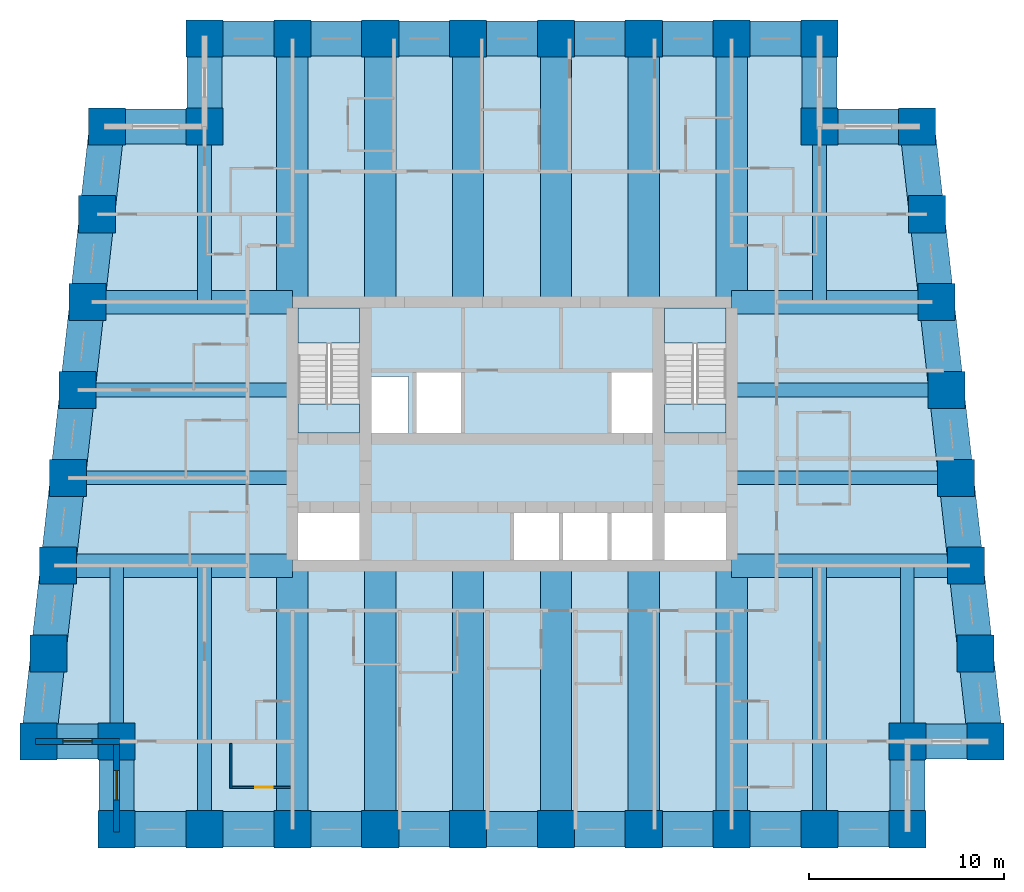
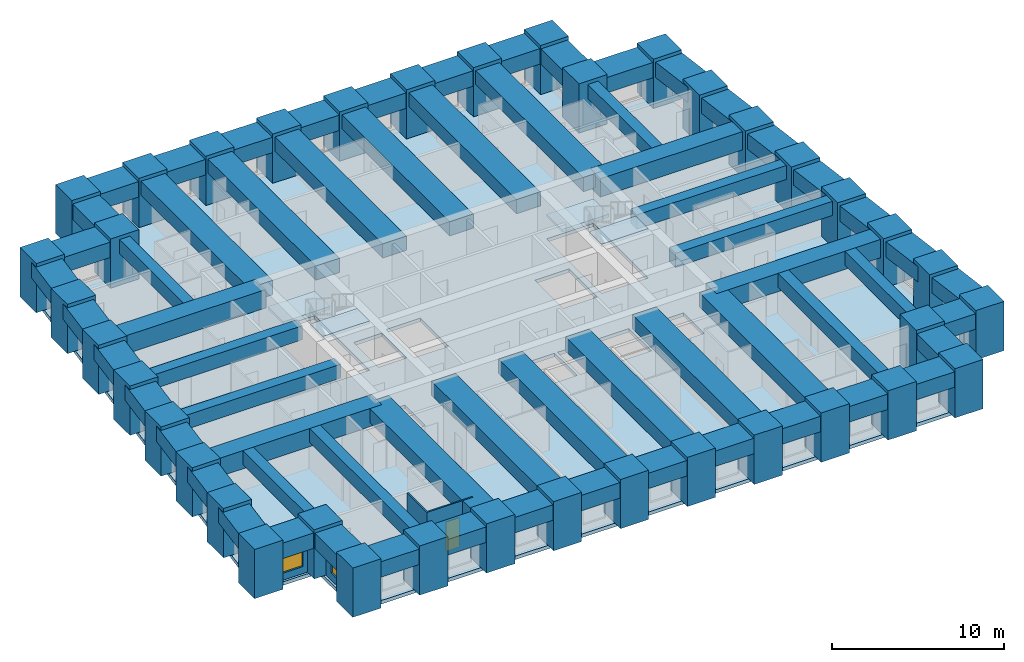
# One storey, part 1 of 8: 64 beams, 38 columns, 5 slabs, 4 walls, 2 windows, 1 door, 3 openings, 2 elements without a shape of their own.
"""IFC4 building model written with IfcOpenShell, lengths in metres."""

from ifc_helpers import new_model, si_unit, direction, frame, frame_2d, origin, origin_2d, place, context, subcontext, project, spatial, polyline, rectangle, outline, extrude, material, layer, layer_set, material_profile, profile_set, type_object, element, fill, aggregate, save


model = new_model("IFC4")

# Units and contexts
model_context = context("Model", 3, precision=1e-05, world=origin(), true_north=direction((0.0, 1.0)))
body_context = subcontext(model_context, "Body", "Model", "MODEL_VIEW")
ifc_project = project(units=[si_unit("LENGTHUNIT", "METRE"), si_unit("AREAUNIT", "SQUARE_METRE"), si_unit("VOLUMEUNIT", "CUBIC_METRE"), si_unit("PLANEANGLEUNIT", "RADIAN"), si_unit("MASSUNIT", "GRAM", prefix="KILO")], contexts=[model_context])

# Site, building, storey
site_placement = place(None, origin())
site = spatial("IfcSite", under=ifc_project, at=site_placement, CompositionType="ELEMENT")
building_placement = place(site_placement, origin())
building = spatial("IfcBuilding", under=site, at=building_placement, Name="Kilele Tower Hotel", CompositionType="ELEMENT")
storey_placement = place(building_placement, frame((0.0, 0.0, 124.89990234375)))
storey = spatial("IfcBuildingStorey", under=building, at=storey_placement, Name="L32", CompositionType="ELEMENT", Elevation=124.89990234375)

# Columns
ifc_material_1 = material(Name="Concrete C70/85", Category="concrete")
ifc_material_profile_1 = material_profile(ifc_material_1, rectangle(XDim=1.89990234375, YDim=1.89990234375, at=origin_2d()))
ifc_profile_set_1 = profile_set([ifc_material_profile_1], Name="Concrete C70/85")
column_type = type_object("IfcColumnType", Name="Tube column RC 1900x1900 C70/85", PredefinedType="COLUMN", material=ifc_profile_set_1)
for number, where, z_axis, x_axis, name in (
    (1, (0.5, 4.5, 0.0), (0.0, 0.0, 1.0), (1.0, 0.0, 0.0), "Column TC2 L32"),
    (2, (4.5, 4.5, 0.0), (0.0, 0.0, 1.0), (1.0, 0.0, 0.0), "Column TC2 L32"),
    (3, (4.5, 0.0, 0.0), (0.0, 0.0, 1.0), (1.0, 0.0, 0.0), "Column TC2 L32"),
    (4, (9.0, 0.0, 0.0), (0.0, 0.0, 1.0), (1.0, 0.0, 0.0), "Column TC2 L32"),
    (5, (13.5, 0.0, 0.0), (0.0, 0.0, 1.0), (1.0, 0.0, 0.0), "Column TC2 L32"),
    (6, (18.0, 0.0, 0.0), (0.0, 0.0, 1.0), (1.0, 0.0, 0.0), "Column TC2 L32"),
    (7, (22.5, 0.0, 0.0), (0.0, 0.0, 1.0), (1.0, 0.0, 0.0), "Column TC2 L32"),
    (8, (27.0, 0.0, 0.0), (0.0, 0.0, 1.0), (1.0, 0.0, 0.0), "Column TC2 L32"),
    (9, (31.5, 0.0, 0.0), (0.0, 0.0, 1.0), (1.0, 0.0, 0.0), "Column TC2 L32"),
    (10, (36.0, 0.0, 0.0), (0.0, 0.0, 1.0), (1.0, 0.0, 0.0), "Column TC2 L32"),
    (11, (40.5, 0.0, 0.0), (0.0, 0.0, 1.0), (1.0, 0.0, 0.0), "Column TC2 L32"),
    (12, (45.0, 0.0, 0.0), (0.0, 0.0, 1.0), (1.0, 0.0, 0.0), "Column TC2 L32"),
    (13, (45.0, 4.5, 0.0), (0.0, 0.0, 1.0), (1.0, 0.0, 0.0), "Column TC2 L32"),
    (14, (49.0, 4.5, 0.0), (0.0, 0.0, 1.0), (1.0, 0.0, 0.0), "Column TC2 L32"),
    (15, (48.5, 9.0, 0.0), (0.0, 0.0, 1.0), (1.0, 0.0, 0.0), "Column TC2 L32"),
    (16, (48.0, 13.5, 0.0), (0.0, 0.0, 1.0), (1.0, 0.0, 0.0), "Column TC2 L32"),
    (17, (47.5, 18.0, 0.0), (0.0, 0.0, 1.0), (1.0, 0.0, 0.0), "Column TC2 L32"),
    (18, (47.0, 22.5, 0.0), (0.0, 0.0, 1.0), (1.0, 0.0, 0.0), "Column TC2 L32"),
    (19, (46.5, 27.0, 0.0), (0.0, 0.0, 1.0), (1.0, 0.0, 0.0), "Column TC2 L32"),
    (20, (46.0, 31.5, 0.0), (0.0, 0.0, 1.0), (1.0, 0.0, 0.0), "Column TC2 L32"),
    (21, (45.5, 36.0, 0.0), (0.0, 0.0, 1.0), (1.0, 0.0, 0.0), "Column TC2 L32"),
    (22, (40.5, 36.0, 0.0), (0.0, 0.0, 1.0), (1.0, 0.0, 0.0), "Column TC2 L32"),
    (23, (40.5, 40.5, 0.0), (0.0, 0.0, 1.0), (1.0, 0.0, 0.0), "Column TC2 L32"),
    (24, (36.0, 40.5, 0.0), (0.0, 0.0, 1.0), (1.0, 0.0, 0.0), "Column TC2 L32"),
    (25, (31.5, 40.5, 0.0), (0.0, 0.0, 1.0), (1.0, 0.0, 0.0), "Column TC2 L32"),
    (26, (27.0, 40.5, 0.0), (0.0, 0.0, 1.0), (1.0, 0.0, 0.0), "Column TC2 L32"),
    (27, (22.5, 40.5, 0.0), (0.0, 0.0, 1.0), (1.0, 0.0, 0.0), "Column TC2 L32"),
    (28, (18.0, 40.5, 0.0), (0.0, 0.0, 1.0), (1.0, 0.0, 0.0), "Column TC2 L32"),
    (29, (13.5, 40.5, 0.0), (0.0, 0.0, 1.0), (1.0, 0.0, 0.0), "Column TC2 L32"),
    (30, (9.0, 40.5, 0.0), (0.0, 0.0, 1.0), (1.0, 0.0, 0.0), "Column TC2 L32"),
    (31, (9.0, 36.0, 0.0), (0.0, 0.0, 1.0), (1.0, 0.0, 0.0), "Column TC2 L32"),
    (32, (4.0, 36.0, 0.0), (0.0, 0.0, 1.0), (1.0, 0.0, 0.0), "Column TC2 L32"),
    (33, (3.5, 31.5, 0.0), (0.0, 0.0, 1.0), (1.0, 0.0, 0.0), "Column TC2 L32"),
    (34, (3.0, 27.0, 0.0), (0.0, 0.0, 1.0), (1.0, 0.0, 0.0), "Column TC2 L32"),
    (35, (2.5, 22.5, 0.0), (0.0, 0.0, 1.0), (1.0, 0.0, 0.0), "Column TC2 L32"),
    (36, (2.0, 18.0, 0.0), (0.0, 0.0, 1.0), (1.0, 0.0, 0.0), "Column TC2 L32"),
    (37, (1.5, 13.5, 0.0), (0.0, 0.0, 1.0), (1.0, 0.0, 0.0), "Column TC2 L32"),
    (38, (1.0, 9.0, 0.0), (0.0, 0.0, 1.0), (1.0, 0.0, 0.0), "Column TC2 L32"),
):
    element("IfcColumn", number, at=place(storey_placement, frame(where, z_axis=z_axis, x_axis=x_axis)), inside=storey, type_object=column_type, Name=name, PredefinedType="COLUMN", context=body_context, shape_type="SweptSolid", body=[
        extrude(rectangle(XDim=1.89990234375, YDim=1.89990234375, at=origin_2d()), origin(), (0.0, 0.0, 1.0), 3.5),
    ])

# Beams
ifc_material_2 = material(Name="Concrete C60/75", Category="concrete")
ifc_material_profile_2 = material_profile(ifc_material_2, rectangle(XDim=1.60009765625, YDim=1.0, at=origin_2d()))
ifc_profile_set_2 = profile_set([ifc_material_profile_2], Name="Concrete C60/75")
beam_type_1 = type_object("IfcBeamType", Name="Beam RC 1600x1000 C60/75", PredefinedType="BEAM", material=ifc_profile_set_2)
for number, where, z_axis, x_axis, name in (
    (39, (13.5, 0.0, 2.75), (0.0, 1.0, 0.0), (-1.0, 0.0, 0.0), "Beam BC1 level L33"),
    (40, (18.0, 0.0, 2.75), (0.0, 1.0, 0.0), (-1.0, 0.0, 0.0), "Beam BC1 level L33"),
    (41, (22.5, 0.0, 2.75), (0.0, 1.0, 0.0), (-1.0, 0.0, 0.0), "Beam BC1 level L33"),
    (42, (27.0, 0.0, 2.75), (0.0, 1.0, 0.0), (-1.0, 0.0, 0.0), "Beam BC1 level L33"),
    (43, (31.5, 0.0, 2.75), (0.0, 1.0, 0.0), (-1.0, 0.0, 0.0), "Beam BC1 level L33"),
    (44, (36.0, 0.0, 2.75), (0.0, 1.0, 0.0), (-1.0, 0.0, 0.0), "Beam BC1 level L33"),
    (45, (36.0, 40.5, 2.75), (0.0, -1.0, 0.0), (1.0, 0.0, 0.0), "Beam BC1 level L33"),
    (46, (31.5, 40.5, 2.75), (0.0, -1.0, 0.0), (1.0, 0.0, 0.0), "Beam BC1 level L33"),
    (47, (27.0, 40.5, 2.75), (0.0, -1.0, 0.0), (1.0, 0.0, 0.0), "Beam BC1 level L33"),
    (48, (22.5, 40.5, 2.75), (0.0, -1.0, 0.0), (1.0, 0.0, 0.0), "Beam BC1 level L33"),
    (49, (18.0, 40.5, 2.75), (0.0, -1.0, 0.0), (1.0, 0.0, 0.0), "Beam BC1 level L33"),
    (50, (13.5, 40.5, 2.75), (0.0, -1.0, 0.0), (1.0, 0.0, 0.0), "Beam BC1 level L33"),
):
    element("IfcBeam", number, at=place(storey_placement, frame(where, z_axis=z_axis, x_axis=x_axis)), inside=storey, type_object=beam_type_1, Name=name, PredefinedType="BEAM", context=body_context, shape_type="SweptSolid", body=[
        extrude(rectangle(XDim=1.60009765625, YDim=1.0, at=origin_2d()), origin(), (0.0, 0.0, 1.0), 13.5),
    ])
ifc_material_3 = material(Name="Concrete C60/75", Category="concrete")
ifc_material_profile_3 = material_profile(ifc_material_3, rectangle(XDim=0.699951171875, YDim=1.0, at=origin_2d()))
ifc_profile_set_3 = profile_set([ifc_material_profile_3], Name="Concrete C60/75")
beam_type_2 = type_object("IfcBeamType", Name="Beam RC 700x1000 C60/75", PredefinedType="BEAM", material=ifc_profile_set_3)
for number, where, z_axis, x_axis, name in (
    (51, (9.0, 0.0, 2.75), (0.0, 1.0, 0.0), (-1.0, 0.0, 0.0), "Beam B4 level L33"),
    (52, (40.5, 0.0, 2.75), (0.0, 1.0, 0.0), (-1.0, 0.0, 0.0), "Beam B4 level L33"),
):
    element("IfcBeam", number, at=place(storey_placement, frame(where, z_axis=z_axis, x_axis=x_axis)), inside=storey, type_object=beam_type_2, Name=name, PredefinedType="BEAM", context=body_context, shape_type="SweptSolid", body=[
        extrude(rectangle(XDim=0.699951171875, YDim=1.0, at=origin_2d()), origin(), (0.0, 0.0, 1.0), 13.5),
    ])
ifc_material_4 = material(Name="Concrete C60/75", Category="concrete")
ifc_material_profile_4 = material_profile(ifc_material_4, rectangle(XDim=0.699951171875, YDim=1.0, at=origin_2d()))
ifc_profile_set_4 = profile_set([ifc_material_profile_4], Name="Concrete C60/75")
beam_type_3 = type_object("IfcBeamType", Name="Beam RC 700x1000 C60/75 mid span", PredefinedType="BEAM", material=ifc_profile_set_4)
for number, where, z_axis, x_axis, name in (
    (53, (4.5, 4.5, 2.75), (0.0, 1.0, 0.0), (-1.0, 0.0, 0.0), "Beam B5 level L33"),
    (54, (45.0, 4.5, 2.75), (0.0, 1.0, 0.0), (-1.0, 0.0, 0.0), "Beam B5 level L33"),
):
    element("IfcBeam", number, at=place(storey_placement, frame(where, z_axis=z_axis, x_axis=x_axis)), inside=storey, type_object=beam_type_3, Name=name, PredefinedType="BEAM", context=body_context, shape_type="SweptSolid", body=[
        extrude(rectangle(XDim=0.699951171875, YDim=1.0, at=origin_2d()), origin(), (0.0, 0.0, 1.0), 9.0),
    ])
beam_1_placement = place(storey_placement, frame((47.5, 18.0, 2.75), z_axis=(-1.0, 0.0, 0.0), x_axis=(0.0, -1.0, 0.0)))
element("IfcBeam", 55, at=beam_1_placement, inside=storey, type_object=beam_type_3, Name="Beam B5 level L33", PredefinedType="BEAM", context=body_context, shape_type="SweptSolid", body=[
    extrude(rectangle(XDim=0.699951171875, YDim=1.0, at=origin_2d()), origin(), (0.0, 0.0, 1.0), 11.5),
])
beam_2_placement = place(storey_placement, frame((47.0, 22.5, 2.75), z_axis=(-1.0, 0.0, 0.0), x_axis=(0.0, -1.0, 0.0)))
element("IfcBeam", 56, at=beam_2_placement, inside=storey, type_object=beam_type_3, Name="Beam B5 level L33", PredefinedType="BEAM", context=body_context, shape_type="SweptSolid", body=[
    extrude(rectangle(XDim=0.699951171875, YDim=1.0, at=origin_2d()), origin(), (0.0, 0.0, 1.0), 11.0),
])
for number, where, z_axis, x_axis, name in (
    (57, (40.5, 36.0, 2.75), (0.0, -1.0, 0.0), (1.0, 0.0, 0.0), "Beam B5 level L33"),
    (58, (9.0, 36.0, 2.75), (0.0, -1.0, 0.0), (1.0, 0.0, 0.0), "Beam B5 level L33"),
):
    element("IfcBeam", number, at=place(storey_placement, frame(where, z_axis=z_axis, x_axis=x_axis)), inside=storey, type_object=beam_type_3, Name=name, PredefinedType="BEAM", context=body_context, shape_type="SweptSolid", body=[
        extrude(rectangle(XDim=0.699951171875, YDim=1.0, at=origin_2d()), origin(), (0.0, 0.0, 1.0), 9.0),
    ])
beam_3_placement = place(storey_placement, frame((2.5, 22.5, 2.75), z_axis=(1.0, 0.0, 0.0), x_axis=(0.0, 1.0, 0.0)))
element("IfcBeam", 59, at=beam_3_placement, inside=storey, type_object=beam_type_3, Name="Beam B5 level L33", PredefinedType="BEAM", context=body_context, shape_type="SweptSolid", body=[
    extrude(rectangle(XDim=0.699951171875, YDim=1.0, at=origin_2d()), origin(), (0.0, 0.0, 1.0), 11.0),
])
beam_4_placement = place(storey_placement, frame((2.0, 18.0, 2.75), z_axis=(1.0, 0.0, 0.0), x_axis=(0.0, 1.0, 0.0)))
element("IfcBeam", 60, at=beam_4_placement, inside=storey, type_object=beam_type_3, Name="Beam B5 level L33", PredefinedType="BEAM", context=body_context, shape_type="SweptSolid", body=[
    extrude(rectangle(XDim=0.699951171875, YDim=1.0, at=origin_2d()), origin(), (0.0, 0.0, 1.0), 11.5),
])
ifc_material_5 = material(Name="Concrete C60/75", Category="concrete")
ifc_material_profile_5 = material_profile(ifc_material_5, rectangle(XDim=1.199951171875, YDim=1.300048828125, at=origin_2d()))
ifc_profile_set_5 = profile_set([ifc_material_profile_5], Name="Concrete C60/75")
beam_type_4 = type_object("IfcBeamType", Name="Girder RC 1200x1300 C60/75", PredefinedType="BEAM", material=ifc_profile_set_5)
for number, where, z_axis, x_axis, name in (
    (61, (48.0, 13.5, 2.60009765625), (-1.0, 0.0, 0.0), (0.0, -1.0, 0.0), "Girder G1 level L33"),
    (62, (1.5, 13.5, 2.60009765625), (1.0, 0.0, 0.0), (0.0, 1.0, 0.0), "Girder G1 level L33"),
):
    element("IfcBeam", number, at=place(storey_placement, frame(where, z_axis=z_axis, x_axis=x_axis)), inside=storey, type_object=beam_type_4, Name=name, PredefinedType="BEAM", context=body_context, shape_type="SweptSolid", body=[
        extrude(rectangle(XDim=1.199951171875, YDim=1.300048828125, at=origin_2d()), origin(), (0.0, 0.0, 1.0), 12.0),
    ])
ifc_material_6 = material(Name="Concrete C60/75", Category="concrete")
ifc_material_profile_6 = material_profile(ifc_material_6, rectangle(XDim=1.199951171875, YDim=1.300048828125, at=origin_2d()))
ifc_profile_set_6 = profile_set([ifc_material_profile_6], Name="Concrete C60/75")
beam_type_5 = type_object("IfcBeamType", Name="Girder RC 1200x1300 C60/75 mid span", PredefinedType="BEAM", material=ifc_profile_set_6)
for number, where, z_axis, x_axis, name in (
    (63, (46.5, 27.0, 2.60009765625), (-1.0, 0.0, 0.0), (0.0, -1.0, 0.0), "Girder G3 level L33"),
    (64, (3.0, 27.0, 2.60009765625), (1.0, 0.0, 0.0), (0.0, 1.0, 0.0), "Girder G3 level L33"),
):
    element("IfcBeam", number, at=place(storey_placement, frame(where, z_axis=z_axis, x_axis=x_axis)), inside=storey, type_object=beam_type_5, Name=name, PredefinedType="BEAM", context=body_context, shape_type="SweptSolid", body=[
        extrude(rectangle(XDim=1.199951171875, YDim=1.300048828125, at=origin_2d()), origin(), (0.0, 0.0, 1.0), 10.5),
    ])
ifc_material_7 = material(Name="Concrete C60/75", Category="concrete")
ifc_material_profile_7 = material_profile(ifc_material_7, rectangle(XDim=1.800048828125, YDim=1.10009765625, at=origin_2d()))
ifc_profile_set_7 = profile_set([ifc_material_profile_7], Name="Concrete C60/75")
beam_type_6 = type_object("IfcBeamType", Name="Spandrel RC 1800x1100 C60/75", PredefinedType="SPANDREL", material=ifc_profile_set_7)
beam_5_placement = place(storey_placement, frame((0.5, 4.5, 2.7001953125), z_axis=(1.0, 0.0, 0.0), x_axis=(0.0, 1.0, 0.0)))
element("IfcBeam", 65, at=beam_5_placement, inside=storey, type_object=beam_type_6, Name="Spandrel SP4 level L33", PredefinedType="SPANDREL", context=body_context, shape_type="SweptSolid", body=[
    extrude(rectangle(XDim=1.800048828125, YDim=1.10009765625, at=origin_2d()), origin(), (0.0, 0.0, 1.0), 4.0),
])
for number, where, z_axis, x_axis, name in (
    (66, (4.5, 4.5, 2.7001953125), (0.0, -1.0, 0.0), (1.0, 0.0, 0.0), "Spandrel SP4 level L33"),
    (67, (4.5, 0.0, 2.7001953125), (1.0, 0.0, 0.0), (0.0, 1.0, 0.0), "Spandrel SP4 level L33"),
    (68, (9.0, 0.0, 2.7001953125), (1.0, 0.0, 0.0), (0.0, 1.0, 0.0), "Spandrel SP4 level L33"),
    (69, (13.5, 0.0, 2.7001953125), (1.0, 0.0, 0.0), (0.0, 1.0, 0.0), "Spandrel SP4 level L33"),
    (70, (18.0, 0.0, 2.7001953125), (1.0, 0.0, 0.0), (0.0, 1.0, 0.0), "Spandrel SP4 level L33"),
    (71, (22.5, 0.0, 2.7001953125), (1.0, 0.0, 0.0), (0.0, 1.0, 0.0), "Spandrel SP4 level L33"),
    (72, (27.0, 0.0, 2.7001953125), (1.0, 0.0, 0.0), (0.0, 1.0, 0.0), "Spandrel SP4 level L33"),
    (73, (31.5, 0.0, 2.7001953125), (1.0, 0.0, 0.0), (0.0, 1.0, 0.0), "Spandrel SP4 level L33"),
    (74, (36.0, 0.0, 2.7001953125), (1.0, 0.0, 0.0), (0.0, 1.0, 0.0), "Spandrel SP4 level L33"),
    (75, (40.5, 0.0, 2.7001953125), (1.0, 0.0, 0.0), (0.0, 1.0, 0.0), "Spandrel SP4 level L33"),
    (76, (45.0, 0.0, 2.7001953125), (0.0, 1.0, 0.0), (-1.0, 0.0, 0.0), "Spandrel SP4 level L33"),
):
    element("IfcBeam", number, at=place(storey_placement, frame(where, z_axis=z_axis, x_axis=x_axis)), inside=storey, type_object=beam_type_6, Name=name, PredefinedType="SPANDREL", context=body_context, shape_type="SweptSolid", body=[
        extrude(rectangle(XDim=1.800048828125, YDim=1.10009765625, at=origin_2d()), origin(), (0.0, 0.0, 1.0), 4.5),
    ])
beam_6_placement = place(storey_placement, frame((45.0, 4.5, 2.7001953125), z_axis=(1.0, 0.0, 0.0), x_axis=(0.0, 1.0, 0.0)))
element("IfcBeam", 77, at=beam_6_placement, inside=storey, type_object=beam_type_6, Name="Spandrel SP4 level L33", PredefinedType="SPANDREL", context=body_context, shape_type="SweptSolid", body=[
    extrude(rectangle(XDim=1.800048828125, YDim=1.10009765625, at=origin_2d()), origin(), (0.0, 0.0, 1.0), 4.0),
])
for number, where, z_axis, x_axis, name in (
    (78, (49.0, 4.5, 2.7001953125), (-0.110431526075, 0.993883734674, 0.0), (-0.993883734674, -0.110431526075, 0.0), "Spandrel SP4 level L33"),
    (79, (48.5, 9.0, 2.7001953125), (-0.110431526075, 0.993883734674, 0.0), (-0.993883734674, -0.110431526075, 0.0), "Spandrel SP4 level L33"),
    (80, (48.0, 13.5, 2.7001953125), (-0.110431526075, 0.993883734674, 0.0), (-0.993883734674, -0.110431526075, 0.0), "Spandrel SP4 level L33"),
    (81, (47.5, 18.0, 2.7001953125), (-0.110431526075, 0.993883734674, 0.0), (-0.993883734674, -0.110431526075, 0.0), "Spandrel SP4 level L33"),
    (82, (47.0, 22.5, 2.7001953125), (-0.110431526075, 0.993883734674, 0.0), (-0.993883734674, -0.110431526075, 0.0), "Spandrel SP4 level L33"),
    (83, (46.5, 27.0, 2.7001953125), (-0.110431526075, 0.993883734674, 0.0), (-0.993883734674, -0.110431526075, 0.0), "Spandrel SP4 level L33"),
    (84, (46.0, 31.5, 2.7001953125), (-0.110431526075, 0.993883734674, 0.0), (-0.993883734674, -0.110431526075, 0.0), "Spandrel SP4 level L33"),
):
    element("IfcBeam", number, at=place(storey_placement, frame(where, z_axis=z_axis, x_axis=x_axis)), inside=storey, type_object=beam_type_6, Name=name, PredefinedType="SPANDREL", context=body_context, shape_type="SweptSolid", body=[
        extrude(rectangle(XDim=1.800048828125, YDim=1.10009765625, at=origin_2d()), origin(), (0.0, 0.0, 1.0), 4.527587890625),
    ])
beam_7_placement = place(storey_placement, frame((45.5, 36.0, 2.7001953125), z_axis=(-1.0, 0.0, 0.0), x_axis=(0.0, -1.0, 0.0)))
element("IfcBeam", 85, at=beam_7_placement, inside=storey, type_object=beam_type_6, Name="Spandrel SP4 level L33", PredefinedType="SPANDREL", context=body_context, shape_type="SweptSolid", body=[
    extrude(rectangle(XDim=1.800048828125, YDim=1.10009765625, at=origin_2d()), origin(), (0.0, 0.0, 1.0), 5.0),
])
for number, where, z_axis, x_axis, name in (
    (86, (40.5, 36.0, 2.7001953125), (0.0, 1.0, 0.0), (-1.0, 0.0, 0.0), "Spandrel SP4 level L33"),
    (87, (40.5, 40.5, 2.7001953125), (-1.0, 0.0, 0.0), (0.0, -1.0, 0.0), "Spandrel SP4 level L33"),
    (88, (36.0, 40.5, 2.7001953125), (-1.0, 0.0, 0.0), (0.0, -1.0, 0.0), "Spandrel SP4 level L33"),
    (89, (31.5, 40.5, 2.7001953125), (-1.0, 0.0, 0.0), (0.0, -1.0, 0.0), "Spandrel SP4 level L33"),
    (90, (27.0, 40.5, 2.7001953125), (-1.0, 0.0, 0.0), (0.0, -1.0, 0.0), "Spandrel SP4 level L33"),
    (91, (22.5, 40.5, 2.7001953125), (-1.0, 0.0, 0.0), (0.0, -1.0, 0.0), "Spandrel SP4 level L33"),
    (92, (18.0, 40.5, 2.7001953125), (-1.0, 0.0, 0.0), (0.0, -1.0, 0.0), "Spandrel SP4 level L33"),
    (93, (13.5, 40.5, 2.7001953125), (-1.0, 0.0, 0.0), (0.0, -1.0, 0.0), "Spandrel SP4 level L33"),
    (94, (9.0, 40.5, 2.7001953125), (0.0, -1.0, 0.0), (1.0, 0.0, 0.0), "Spandrel SP4 level L33"),
):
    element("IfcBeam", number, at=place(storey_placement, frame(where, z_axis=z_axis, x_axis=x_axis)), inside=storey, type_object=beam_type_6, Name=name, PredefinedType="SPANDREL", context=body_context, shape_type="SweptSolid", body=[
        extrude(rectangle(XDim=1.800048828125, YDim=1.10009765625, at=origin_2d()), origin(), (0.0, 0.0, 1.0), 4.5),
    ])
beam_8_placement = place(storey_placement, frame((9.0, 36.0, 2.7001953125), z_axis=(-1.0, 0.0, 0.0), x_axis=(0.0, -1.0, 0.0)))
element("IfcBeam", 95, at=beam_8_placement, inside=storey, type_object=beam_type_6, Name="Spandrel SP4 level L33", PredefinedType="SPANDREL", context=body_context, shape_type="SweptSolid", body=[
    extrude(rectangle(XDim=1.800048828125, YDim=1.10009765625, at=origin_2d()), origin(), (0.0, 0.0, 1.0), 5.0),
])
for number, where, z_axis, x_axis, name in (
    (96, (4.0, 36.0, 2.7001953125), (-0.110431526075, -0.993883734674, 0.0), (0.993883734674, -0.110431526075, 0.0), "Spandrel SP4 level L33"),
    (97, (3.5, 31.5, 2.7001953125), (-0.110431526075, -0.993883734674, 0.0), (0.993883734674, -0.110431526075, 0.0), "Spandrel SP4 level L33"),
    (98, (3.0, 27.0, 2.7001953125), (-0.110431526075, -0.993883734674, 0.0), (0.993883734674, -0.110431526075, 0.0), "Spandrel SP4 level L33"),
    (99, (2.5, 22.5, 2.7001953125), (-0.110431526075, -0.993883734674, 0.0), (0.993883734674, -0.110431526075, 0.0), "Spandrel SP4 level L33"),
    (100, (2.0, 18.0, 2.7001953125), (-0.110431526075, -0.993883734674, 0.0), (0.993883734674, -0.110431526075, 0.0), "Spandrel SP4 level L33"),
    (101, (1.5, 13.5, 2.7001953125), (-0.110431526075, -0.993883734674, 0.0), (0.993883734674, -0.110431526075, 0.0), "Spandrel SP4 level L33"),
    (102, (1.0, 9.0, 2.7001953125), (-0.110431526075, -0.993883734674, 0.0), (0.993883734674, -0.110431526075, 0.0), "Spandrel SP4 level L33"),
):
    element("IfcBeam", number, at=place(storey_placement, frame(where, z_axis=z_axis, x_axis=x_axis)), inside=storey, type_object=beam_type_6, Name=name, PredefinedType="SPANDREL", context=body_context, shape_type="SweptSolid", body=[
        extrude(rectangle(XDim=1.800048828125, YDim=1.10009765625, at=origin_2d()), origin(), (0.0, 0.0, 1.0), 4.527587890625),
    ])

# Slab
ifc_material_8 = material(Name="Concrete C60/75", Category="concrete")
ifc_layer_1 = layer(ifc_material_8, 0.25)
ifc_layer_set_1 = layer_set([ifc_layer_1], Name="Concrete C60/75")
slab_type_1 = type_object("IfcSlabType", Name="Floor slab 250", PredefinedType="FLOOR", material=ifc_layer_set_1)
slab_1_placement = place(storey_placement, frame((0.0, 0.0, -0.25)))
element("IfcSlab", 103, at=slab_1_placement, inside=storey, type_object=slab_type_1, Name="Floor slab L32", PredefinedType="FLOOR", context=body_context, shape_type="SweptSolid", body=[
    extrude(outline(polyline([(8.699951171875, 36.300048828125), (8.699951171875, 40.800048828125), (40.800048828125, 40.800048828125), (40.800048828125, 36.300048828125), (45.7685546875, 36.300048828125), (49.335205078125, 4.199951171875), (45.300048828125, 4.199951171875), (45.300048828125, -0.300048828125), (4.199951171875, -0.300048828125), (4.199951171875, 4.199951171875), (0.164794921875, 4.199951171875), (3.7314453125, 36.300048828125), (8.699951171875, 36.300048828125)]), holes=[polyline([(16.949951171875, 16.199951171875), (13.800048828125, 16.199951171875), (13.800048828125, 13.800048828125), (16.949951171875, 13.800048828125), (16.949951171875, 16.199951171875)]), polyline([(35.699951171875, 16.199951171875), (32.550048828125, 16.199951171875), (32.550048828125, 13.800048828125), (35.699951171875, 13.800048828125), (35.699951171875, 16.199951171875)]), polyline([(27.14990234375, 16.39990234375), (24.85009765625, 16.39990234375), (24.85009765625, 13.800048828125), (27.14990234375, 13.800048828125), (27.14990234375, 16.39990234375)]), polyline([(29.64990234375, 13.800048828125), (29.64990234375, 16.39990234375), (27.35009765625, 16.39990234375), (27.35009765625, 13.800048828125), (29.64990234375, 13.800048828125)]), polyline([(32.14990234375, 13.800048828125), (32.14990234375, 16.39990234375), (29.85009765625, 16.39990234375), (29.85009765625, 13.800048828125), (32.14990234375, 13.800048828125)]), polyline([(19.449951171875, 23.199951171875), (17.550048828125, 23.199951171875), (17.550048828125, 20.300048828125), (19.449951171875, 20.300048828125), (19.449951171875, 23.199951171875)]), polyline([(22.14990234375, 23.39990234375), (19.85009765625, 23.39990234375), (19.85009765625, 20.10009765625), (22.14990234375, 20.10009765625), (22.14990234375, 23.39990234375)]), polyline([(32.14990234375, 23.39990234375), (29.85009765625, 23.39990234375), (29.85009765625, 20.10009765625), (32.14990234375, 20.10009765625), (32.14990234375, 23.39990234375)]), polyline([(16.949951171875, 20.300048828125), (16.949951171875, 26.699951171875), (13.800048828125, 26.699951171875), (13.800048828125, 20.300048828125), (16.949951171875, 20.300048828125)]), polyline([(35.699951171875, 20.300048828125), (35.699951171875, 26.699951171875), (32.550048828125, 26.699951171875), (32.550048828125, 20.300048828125), (35.699951171875, 20.300048828125)])]), origin(), (0.0, 0.0, 1.0), 0.25),
])

# Stair, slabs
ifc_material_9 = material(Name="Precast concrete C40/50", Category="concrete")
stair_type = type_object("IfcStairType", Name="Stair 1475 x 3500", PredefinedType="HALF_TURN_STAIR", material=ifc_material_9)
stair_1_placement = place(storey_placement, origin())
stair_1 = element("IfcStair", 104, at=stair_1_placement, inside=storey, type_object=stair_type, Name="Stair 1 L32", PredefinedType="HALF_TURN_STAIR")
ifc_material_10 = material(Name="Precast concrete C40/50", Category="concrete")
ifc_layer_2 = layer(ifc_material_10, 0.199951171875)
ifc_layer_set_2 = layer_set([ifc_layer_2], Name="Precast concrete C40/50")
slab_type_2 = type_object("IfcSlabType", Name="Stair landing 200", PredefinedType="LANDING", material=ifc_layer_set_2)
slab_2_placement = place(storey_placement, frame((0.0, 0.0, 1.550048828125)))
slab_2 = element("IfcSlab", 105, at=slab_2_placement, type_object=slab_type_2, Name="ST1 landing 1", PredefinedType="LANDING", context=body_context, shape_type="SweptSolid", body=[
    extrude(outline(polyline([(13.800048828125, 24.89501953125), (16.949951171875, 24.89501953125), (16.949951171875, 26.699951171875), (13.800048828125, 26.699951171875), (13.800048828125, 24.89501953125)])), origin(), (0.0, 0.0, 1.0), 0.199951171875),
])
slab_3_placement = place(storey_placement, frame((0.0, 0.0, 3.300048828125)))
slab_3 = element("IfcSlab", 106, at=slab_3_placement, type_object=slab_type_2, Name="ST1 landing 2", PredefinedType="LANDING", context=body_context, shape_type="SweptSolid", body=[
    extrude(outline(polyline([(13.800048828125, 20.300048828125), (16.949951171875, 20.300048828125), (16.949951171875, 21.77490234375), (13.800048828125, 21.77490234375), (13.800048828125, 20.300048828125)])), origin(), (0.0, 0.0, 1.0), 0.199951171875),
])
aggregate(stair_1, [slab_2, slab_3])

stair_2_placement = place(storey_placement, origin())
stair_2 = element("IfcStair", 107, at=stair_2_placement, inside=storey, type_object=stair_type, Name="Stair 2 L32", PredefinedType="HALF_TURN_STAIR")
slab_4_placement = place(storey_placement, frame((0.0, 0.0, 1.550048828125)))
slab_4 = element("IfcSlab", 108, at=slab_4_placement, type_object=slab_type_2, Name="ST2 landing 1", PredefinedType="LANDING", context=body_context, shape_type="SweptSolid", body=[
    extrude(outline(polyline([(32.550048828125, 24.89501953125), (35.699951171875, 24.89501953125), (35.699951171875, 26.699951171875), (32.550048828125, 26.699951171875), (32.550048828125, 24.89501953125)])), origin(), (0.0, 0.0, 1.0), 0.199951171875),
])
slab_5_placement = place(storey_placement, frame((0.0, 0.0, 3.300048828125)))
slab_5 = element("IfcSlab", 109, at=slab_5_placement, type_object=slab_type_2, Name="ST2 landing 2", PredefinedType="LANDING", context=body_context, shape_type="SweptSolid", body=[
    extrude(outline(polyline([(32.550048828125, 20.300048828125), (35.699951171875, 20.300048828125), (35.699951171875, 21.77490234375), (32.550048828125, 21.77490234375), (32.550048828125, 20.300048828125)])), origin(), (0.0, 0.0, 1.0), 0.199951171875),
])
aggregate(stair_2, [slab_4, slab_5])

# Wall
ifc_material_11 = material(Name="Moisture-resistant board")
ifc_layer_3 = layer(ifc_material_11, 0.10009765625)
ifc_layer_set_3 = layer_set([ifc_layer_3], Name="Moisture-resistant board")
wall_type_1 = type_object("IfcWallType", Name="Bathroom partition 100", PredefinedType="PLUMBINGWALL", material=ifc_layer_set_3)
wall_1_placement = place(storey_placement, frame((10.35009765625, 4.39990234375, 0.0), z_axis=(0.0, 0.0, 1.0), x_axis=(0.0, -1.0, 0.0)))
element("IfcWall", 110, at=wall_1_placement, inside=storey, type_object=wall_type_1, Name="Bathroom partition 100 L32", PredefinedType="PLUMBINGWALL", context=body_context, shape_type="SweptSolid", body=[
    extrude(rectangle(XDim=2.2998046875, YDim=0.10009765625, at=frame_2d((1.14990234375, 0.0))), origin(), (0.0, 0.0, 1.0), 3.25),
])

# Wall, opening, door
wall_2_placement = place(storey_placement, frame((13.39990234375, 2.14990234375, 0.0), z_axis=(0.0, 0.0, 1.0), x_axis=(-1.0, 0.0, 0.0)))
wall_2 = element("IfcWall", 111, at=wall_2_placement, inside=storey, type_object=wall_type_1, Name="Bathroom partition 100 L32", PredefinedType="PLUMBINGWALL", context=body_context, shape_type="SweptSolid", body=[
    extrude(rectangle(XDim=3.099853515625, YDim=0.10009765625, at=frame_2d((1.5498046875, 0.0))), origin(), (0.0, 0.0, 1.0), 3.25),
])
opening_1_placement = place(wall_2_placement, frame((0.89990234375, 0.0, 0.0)))
opening_1 = element("IfcOpeningElement", 112, at=opening_1_placement, cuts=wall_2, Name="Opening D2A", PredefinedType="OPENING", context=body_context, shape_type="SweptSolid", body=[
    extrude(rectangle(XDim=0.89990234375, YDim=2.10009765625, at=frame_2d((0.449951171875, 1.050048828125))), frame((0.0, 0.06005859375, 0.0), z_axis=(0.0, -1.0, 0.0), x_axis=(1.0, 0.0, 0.0)), (0.0, 0.0, 1.0), 0.1201171875),
])
ifc_material_12 = material(Name="Timber door leaf in hardwood frame", Category="wood")
door_type = type_object("IfcDoorType", Name="Bathroom door 900", OperationType="SINGLE_SWING_LEFT", PredefinedType="DOOR", material=ifc_material_12)
door_placement = place(opening_1_placement, origin())
door = element("IfcDoor", 113, at=door_placement, inside=storey, type_object=door_type, Name="Bathroom door 3219B", OperationType="SINGLE_SWING_LEFT", OverallHeight=2.10009765625, OverallWidth=0.89990234375, PredefinedType="DOOR", context=body_context, shape_type="SweptSolid", body=[
    extrude(rectangle(XDim=0.89990234375, YDim=2.10009765625, at=frame_2d((0.449951171875, 1.050048828125))), frame((0.0, 0.02490234375, 0.0), z_axis=(0.0, -1.0, 0.0), x_axis=(1.0, 0.0, 0.0)), (0.0, 0.0, 1.0), 0.050048828125),
])
fill(opening_1, door)

# Wall, opening, window
ifc_material_13 = material(Name="Concrete C40/50 precast", Category="concrete")
ifc_layer_4 = layer(ifc_material_13, 0.260009765625, Name="Precast backing", Category="LoadBearing")
ifc_material_14 = material(Name="Reconstituted stone finish", Category="masonry")
ifc_layer_5 = layer(ifc_material_14, 0.0400390625, Name="Face mix", Category="Finish")
ifc_layer_set_4 = layer_set([ifc_layer_4, ifc_layer_5], Name="Precast concrete C40/50, reconstituted stone finish")
wall_type_2 = type_object("IfcWallType", Name="Precast stone facade wall 300", PredefinedType="STANDARD", material=ifc_layer_set_4)
wall_3_placement = place(storey_placement, frame((0.35009765625, 4.5, 0.0), z_axis=(0.0, 0.0, 1.0), x_axis=(1.0, 0.0, 0.0)))
wall_3 = element("IfcWall", 114, at=wall_3_placement, inside=storey, type_object=wall_type_2, Name="Facade wall L32 edge 1", PredefinedType="STANDARD", context=body_context, shape_type="SweptSolid", body=[
    extrude(rectangle(XDim=4.2998046875, YDim=0.300048828125, at=frame_2d((2.14990234375, 0.0))), origin(), (0.0, 0.0, 1.0), 2.150146484375),
])
opening_2_placement = place(wall_3_placement, frame((1.39990234375, 0.0, 0.5)))
opening_2 = element("IfcOpeningElement", 115, at=opening_2_placement, cuts=wall_3, Name="Opening W2", PredefinedType="OPENING", context=body_context, shape_type="SweptSolid", body=[
    extrude(rectangle(XDim=1.5, YDim=1.5, at=frame_2d((0.75, 0.75))), frame((0.0, 0.159912109375, 0.0), z_axis=(0.0, -1.0, 0.0), x_axis=(1.0, 0.0, 0.0)), (0.0, 0.0, 1.0), 0.320068359375),
])
ifc_material_15 = material(Name="Aluminium frame, clear double glazing", Category="aluminium")
window_type = type_object("IfcWindowType", Name="Window W2 1500 x 1500", PartitioningType="SINGLE_PANEL", PredefinedType="WINDOW", material=ifc_material_15)
window_1_placement = place(opening_2_placement, origin())
window_1 = element("IfcWindow", 116, at=window_1_placement, inside=storey, type_object=window_type, Name="Window L32", OverallHeight=1.5, OverallWidth=1.5, PartitioningType="SINGLE_PANEL", PredefinedType="WINDOW", context=body_context, shape_type="SweptSolid", body=[
    extrude(rectangle(XDim=1.5, YDim=1.5, at=frame_2d((0.75, 0.75))), frame((0.0, 0.030029296875, 0.0), z_axis=(0.0, -1.0, 0.0), x_axis=(1.0, 0.0, 0.0)), (0.0, 0.0, 1.0), 0.06005859375),
])
fill(opening_2, window_1)

wall_4_placement = place(storey_placement, frame((4.5, 4.64990234375, 0.0), z_axis=(0.0, 0.0, 1.0), x_axis=(0.0, -1.0, 0.0)))
wall_4 = element("IfcWall", 117, at=wall_4_placement, inside=storey, type_object=wall_type_2, Name="Facade wall L32 edge 2", PredefinedType="STANDARD", context=body_context, shape_type="SweptSolid", body=[
    extrude(rectangle(XDim=4.7998046875, YDim=0.300048828125, at=frame_2d((2.39990234375, 0.0))), origin(), (0.0, 0.0, 1.0), 2.150146484375),
])
opening_3_placement = place(wall_4_placement, frame((1.64990234375, 0.0, 0.5)))
opening_3 = element("IfcOpeningElement", 118, at=opening_3_placement, cuts=wall_4, Name="Opening W2", PredefinedType="OPENING", context=body_context, shape_type="SweptSolid", body=[
    extrude(rectangle(XDim=1.5, YDim=1.5, at=frame_2d((0.75, 0.75))), frame((0.0, 0.159912109375, 0.0), z_axis=(0.0, -1.0, 0.0), x_axis=(1.0, 0.0, 0.0)), (0.0, 0.0, 1.0), 0.320068359375),
])
window_2_placement = place(opening_3_placement, origin())
window_2 = element("IfcWindow", 119, at=window_2_placement, inside=storey, type_object=window_type, Name="Window L32", OverallHeight=1.5, OverallWidth=1.5, PartitioningType="SINGLE_PANEL", PredefinedType="WINDOW", context=body_context, shape_type="SweptSolid", body=[
    extrude(rectangle(XDim=1.5, YDim=1.5, at=frame_2d((0.75, 0.75))), frame((0.0, 0.030029296875, 0.0), z_axis=(0.0, -1.0, 0.0), x_axis=(1.0, 0.0, 0.0)), (0.0, 0.0, 1.0), 0.06005859375),
])
fill(opening_3, window_2)

save(model, "model.ifc")
